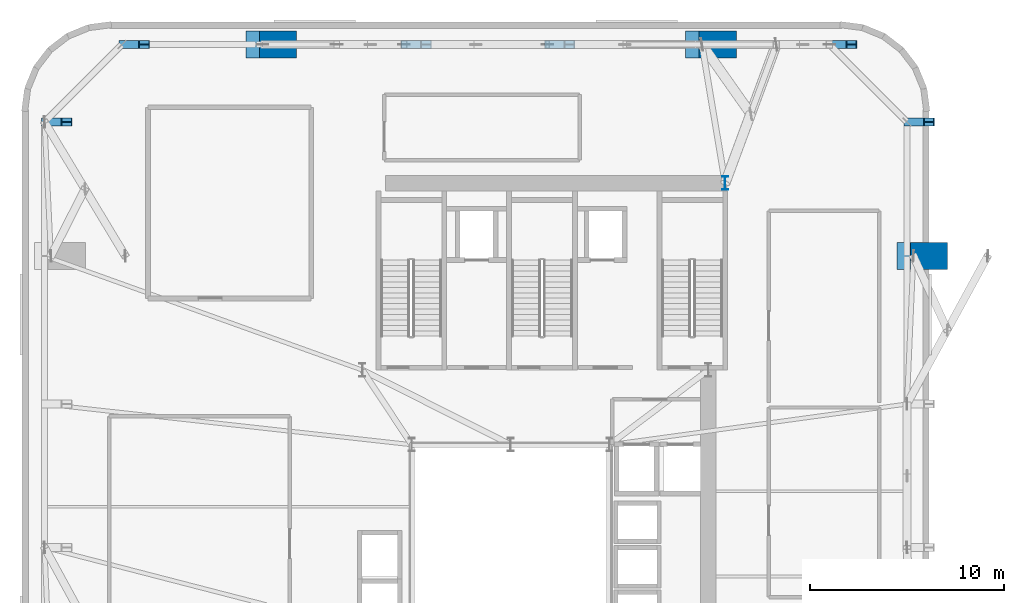
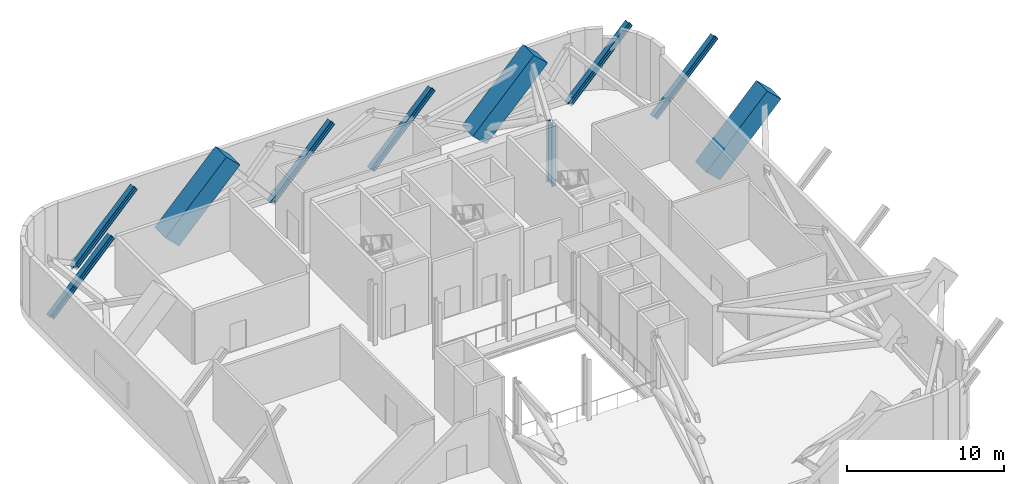
# One storey, part 2 of 14: 10 columns.
"""IFC4 building model written with IfcOpenShell, lengths in metres."""

from ifc_helpers import new_model, si_unit, direction, frame, origin, origin_2d, place, context, subcontext, project, spatial, rectangle, i_section, extrude, source, transform, mapped, material, material_profile, profile_set, type_object, element, save


model = new_model("IFC4")

# Units and contexts
model_context = context("Model", 3, precision=1e-05, world=origin(), true_north=direction((0.0, 1.0)))
body_context = subcontext(model_context, "Body", "Model", "MODEL_VIEW")
ifc_project = project(units=[si_unit("LENGTHUNIT", "METRE"), si_unit("AREAUNIT", "SQUARE_METRE"), si_unit("VOLUMEUNIT", "CUBIC_METRE"), si_unit("PLANEANGLEUNIT", "RADIAN"), si_unit("MASSUNIT", "GRAM", prefix="KILO")], contexts=[model_context])

# Site, building, storey
site_placement = place(None, origin())
site = spatial("IfcSite", under=ifc_project, at=site_placement, CompositionType="ELEMENT")
building_placement = place(site_placement, origin())
building = spatial("IfcBuilding", under=site, at=building_placement, Name="Vardaveli Station Tower", CompositionType="ELEMENT")
storey_placement = place(building_placement, frame((0.0, 0.0, 237.300048828125)))
storey = spatial("IfcBuildingStorey", under=building, at=storey_placement, Name="L61", CompositionType="ELEMENT", Elevation=237.300048828125)

# Columns
ifc_material_1 = material(Name="Structural steel S460M", Category="steel")
ifc_material_profile_1 = material_profile(ifc_material_1, i_section(OverallWidth=0.300048828125, OverallDepth=0.699951171875, WebThickness=0.01708984375, FlangeThickness=0.031982421875, FilletRadius=0.027099609375, at=origin_2d()), Name="HEB 700")
ifc_profile_set_1 = profile_set([ifc_material_profile_1], Name="Structural steel S460M")
column_type_1 = type_object("IfcColumnType", Name="COL-HEB700", PredefinedType="COLUMN", material=ifc_profile_set_1)
shared_shape_1 = source(origin(), body_context, "Body", "SweptSolid", [
    extrude(i_section(OverallWidth=0.300048828125, OverallDepth=0.699951171875, WebThickness=0.01708984375, FlangeThickness=0.031982421875, FilletRadius=0.027099609375, at=origin_2d()), origin(), (0.0, 0.0, 1.0), 4.75),
])
column_placement = place(storey_placement, frame((47.3701171875, 40.300048828125, 0.0), z_axis=(0.0, 0.0, 1.0), x_axis=(1.0, 0.0, 0.0)))
element("IfcColumn", 1, at=column_placement, inside=storey, type_object=column_type_1, Name="COL-L61-CC3", PredefinedType="COLUMN", context=body_context, shape_type="MappedRepresentation", body=[
    mapped(shared_shape_1, transform((0.0, 0.0, 0.0), scale=1.0)),
])
ifc_material_2 = material(Name="Concrete C50/60", Category="concrete")
ifc_material_profile_2 = material_profile(ifc_material_2, rectangle(XDim=1.39990234375, YDim=1.39990234375, at=origin_2d()), Name="MC 1400x1400")
ifc_profile_set_2 = profile_set([ifc_material_profile_2], Name="Concrete C50/60")
column_type_2 = type_object("IfcColumnType", Name="COL-MC-1400", PredefinedType="COLUMN", material=ifc_profile_set_2)
shared_shape_2 = source(origin(), body_context, "Body", "SweptSolid", [
    extrude(rectangle(XDim=1.39990234375, YDim=1.39990234375, at=origin_2d()), origin(), (0.0, 0.0, 1.0), 6.543212890625),
])
for number, where, z_axis, x_axis, name in (
    (2, (56.75, 36.5400390625, 0.0), (0.687744647911, 0.0, 0.725952683906), (0.0, 1.0, 0.0), "COL-L61-MC4"),
    (3, (45.840087890625, 47.449951171875, 0.0), (0.687744647911, 0.0, 0.725952683906), (0.0, 1.0, 0.0), "COL-L61-MC5"),
    (4, (23.159912109375, 47.449951171875, 0.0), (0.687744647911, 0.0, 0.725952683906), (0.0, 1.0, 0.0), "COL-L61-MC6"),
):
    element("IfcColumn", number, at=place(storey_placement, frame(where, z_axis=z_axis, x_axis=x_axis)), inside=storey, type_object=column_type_2, Name=name, PredefinedType="COLUMN", context=body_context, shape_type="MappedRepresentation", body=[
        mapped(shared_shape_2, transform((0.0, 0.0, 0.0), scale=1.0)),
    ])
ifc_material_profile_3 = material_profile(ifc_material_1, i_section(OverallWidth=0.408935546875, OverallDepth=0.4169921875, WebThickness=0.021240234375, FlangeThickness=0.033203125, FilletRadius=0.014892578125, at=origin_2d()), Name="HD 400x347")
ifc_profile_set_3 = profile_set([ifc_material_profile_3], Name="Structural steel S460M")
column_type_3 = type_object("IfcColumnType", Name="COL-HD347", PredefinedType="COLUMN", material=ifc_profile_set_3)
shared_shape_3 = source(origin(), body_context, "Body", "SweptSolid", [
    extrude(i_section(OverallWidth=0.408935546875, OverallDepth=0.4169921875, WebThickness=0.021240234375, FlangeThickness=0.033203125, FilletRadius=0.014892578125, at=origin_2d()), origin(), (0.0, 0.0, 1.0), 6.543212890625),
])
for number, where, z_axis, x_axis, name in (
    (5, (56.75, 43.449951171875, 0.0), (0.687744647911, 0.0, 0.725952683906), (0.0, 1.0, 0.0), "COL-L61-PC08"),
    (6, (52.75, 47.449951171875, 0.0), (0.687744647911, 0.0, 0.725952683906), (0.0, 1.0, 0.0), "COL-L61-PC09"),
    (7, (38.199951171875, 47.449951171875, 0.0), (0.687744647911, 0.0, 0.725952683906), (0.0, 1.0, 0.0), "COL-L61-PC10"),
    (8, (30.800048828125, 47.449951171875, 0.0), (0.687744647911, 0.0, 0.725952683906), (0.0, 1.0, 0.0), "COL-L61-PC11"),
    (9, (16.25, 47.449951171875, 0.0), (0.687744647911, 0.0, 0.725952683906), (0.0, 1.0, 0.0), "COL-L61-PC12"),
    (10, (12.25, 43.449951171875, 0.0), (0.687744647911, 0.0, 0.725952683906), (0.0, 1.0, 0.0), "COL-L61-PC13"),
):
    element("IfcColumn", number, at=place(storey_placement, frame(where, z_axis=z_axis, x_axis=x_axis)), inside=storey, type_object=column_type_3, Name=name, PredefinedType="COLUMN", context=body_context, shape_type="MappedRepresentation", body=[
        mapped(shared_shape_3, transform((0.0, 0.0, 0.0), scale=1.0)),
    ])

save(model, "model.ifc")
